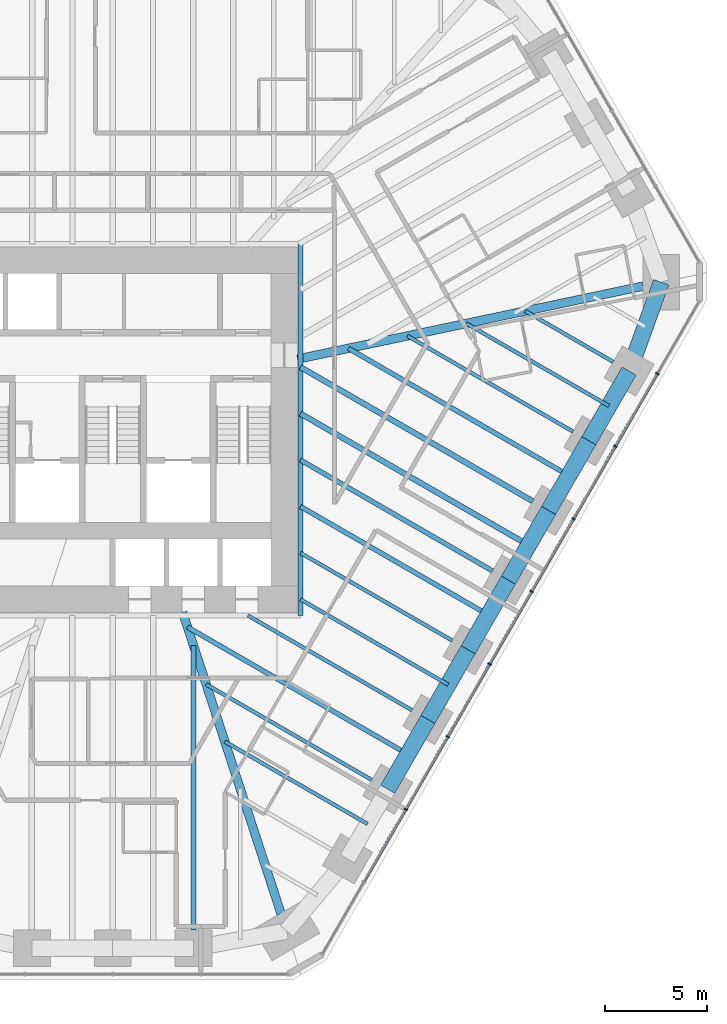
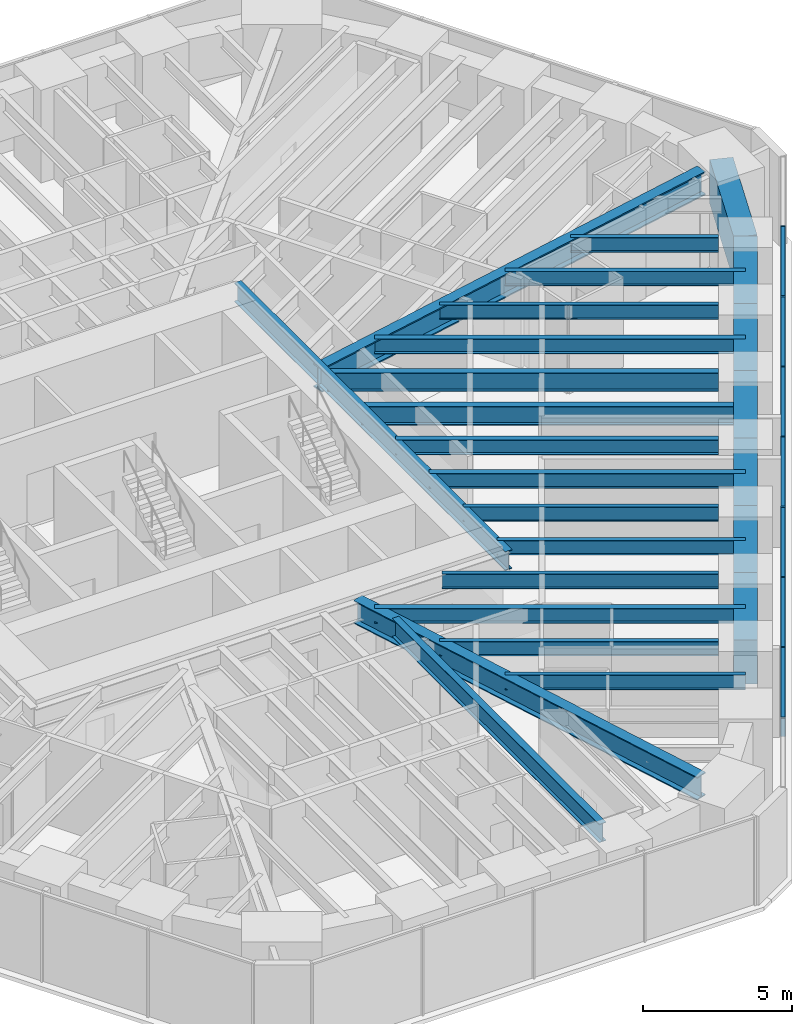
# One storey, part 5 of 17: 25 beams, 14 members, 1 element without a shape of its own.
"""IFC4 building model written with IfcOpenShell, lengths in metres."""

from ifc_helpers import new_model, si_unit, direction, frame, origin, origin_2d, place, context, subcontext, project, spatial, rectangle, i_section, extrude, material, material_profile, profile_set, type_object, element, aggregate, save


model = new_model("IFC4")

# Units and contexts
model_context = context("Model", 3, precision=1e-05, world=origin(), true_north=direction((0.0, 1.0)))
body_context = subcontext(model_context, "Body", "Model", "MODEL_VIEW")
ifc_project = project(units=[si_unit("LENGTHUNIT", "METRE"), si_unit("AREAUNIT", "SQUARE_METRE"), si_unit("VOLUMEUNIT", "CUBIC_METRE"), si_unit("PLANEANGLEUNIT", "RADIAN"), si_unit("MASSUNIT", "GRAM", prefix="KILO")], contexts=[model_context])

# Site, building, storey
site_placement = place(None, origin())
site = spatial("IfcSite", under=ifc_project, at=site_placement, CompositionType="ELEMENT")
building_placement = place(site_placement, origin())
building = spatial("IfcBuilding", under=site, at=building_placement, Name="Sandreach Pilgrim Tower", CompositionType="ELEMENT")
storey_placement = place(building_placement, frame((0.0, 0.0, 142.39990234375)))
storey = spatial("IfcBuildingStorey", under=building, at=storey_placement, Name="L35", CompositionType="ELEMENT", Elevation=142.39990234375)

# Curtain wall, members
ifc_material_1 = material(Name="Aluminium framed curtain wall", Category="aluminium")
curtain_wall_type = type_object("IfcCurtainWallType", Name="Hotel tower curtain wall", PredefinedType="NOTDEFINED", material=ifc_material_1)
curtain_wall_placement = place(storey_placement, origin())
curtain_wall = element("IfcCurtainWall", 1, at=curtain_wall_placement, inside=storey, type_object=curtain_wall_type, Name="CW-2 L35 SE", PredefinedType="NOTDEFINED")
ifc_material_2 = material(Name="Aluminium extrusion", Category="aluminium")
ifc_material_profile_1 = material_profile(ifc_material_2, rectangle(XDim=0.06494140625, YDim=0.179931640625, at=origin_2d()), Name="CW-2M 65X180")
ifc_profile_set_1 = profile_set([ifc_material_profile_1], Name="Aluminium extrusion")
member_type_1 = type_object("IfcMemberType", Name="CW-2 mullion", PredefinedType="MULLION", material=ifc_profile_set_1)
member_1_placement = place(storey_placement, frame((26.66748046875, 1.20166015625, 0.0), z_axis=(0.0, 0.0, 1.0), x_axis=(-0.5, -0.866025403784, 0.0)))
member_1 = element("IfcMember", 2, at=member_1_placement, type_object=member_type_1, Name="CW-2 mullion 2", PredefinedType="MULLION", context=body_context, shape_type="SweptSolid", body=[
    extrude(rectangle(XDim=0.06494140625, YDim=0.179931640625, at=origin_2d()), origin(), (0.0, 0.0, 1.0), 3.64013671875),
])
member_2_placement = place(storey_placement, frame((24.614013671875, -2.35498046875, 0.0), z_axis=(0.0, 0.0, 1.0), x_axis=(-0.5, -0.866025403784, 0.0)))
member_2 = element("IfcMember", 3, at=member_2_placement, type_object=member_type_1, Name="CW-2 mullion 3", PredefinedType="MULLION", context=body_context, shape_type="SweptSolid", body=[
    extrude(rectangle(XDim=0.06494140625, YDim=0.179931640625, at=origin_2d()), origin(), (0.0, 0.0, 1.0), 3.64013671875),
])
member_3_placement = place(storey_placement, frame((22.560302734375, -5.911865234375, 0.0), z_axis=(0.0, 0.0, 1.0), x_axis=(-0.5, -0.866025403784, 0.0)))
member_3 = element("IfcMember", 4, at=member_3_placement, type_object=member_type_1, Name="CW-2 mullion 4", PredefinedType="MULLION", context=body_context, shape_type="SweptSolid", body=[
    extrude(rectangle(XDim=0.06494140625, YDim=0.179931640625, at=origin_2d()), origin(), (0.0, 0.0, 1.0), 3.64013671875),
])
member_4_placement = place(storey_placement, frame((20.5068359375, -9.468505859375, 0.0), z_axis=(0.0, 0.0, 1.0), x_axis=(-0.5, -0.866025403784, 0.0)))
member_4 = element("IfcMember", 5, at=member_4_placement, type_object=member_type_1, Name="CW-2 mullion 5", PredefinedType="MULLION", context=body_context, shape_type="SweptSolid", body=[
    extrude(rectangle(XDim=0.06494140625, YDim=0.179931640625, at=origin_2d()), origin(), (0.0, 0.0, 1.0), 3.64013671875),
])
member_5_placement = place(storey_placement, frame((18.453369140625, -13.025146484375, 0.0), z_axis=(0.0, 0.0, 1.0), x_axis=(-0.5, -0.866025403784, 0.0)))
member_5 = element("IfcMember", 6, at=member_5_placement, type_object=member_type_1, Name="CW-2 mullion 6", PredefinedType="MULLION", context=body_context, shape_type="SweptSolid", body=[
    extrude(rectangle(XDim=0.06494140625, YDim=0.179931640625, at=origin_2d()), origin(), (0.0, 0.0, 1.0), 3.64013671875),
])
member_6_placement = place(storey_placement, frame((16.39990234375, -16.58203125, 0.0), z_axis=(0.0, 0.0, 1.0), x_axis=(-0.5, -0.866025403784, 0.0)))
member_6 = element("IfcMember", 7, at=member_6_placement, type_object=member_type_1, Name="CW-2 mullion 7", PredefinedType="MULLION", context=body_context, shape_type="SweptSolid", body=[
    extrude(rectangle(XDim=0.06494140625, YDim=0.179931640625, at=origin_2d()), origin(), (0.0, 0.0, 1.0), 3.64013671875),
])
member_7_placement = place(storey_placement, frame((14.346435546875, -20.138671875, 0.0), z_axis=(0.0, 0.0, 1.0), x_axis=(-0.5, -0.866025403784, 0.0)))
member_7 = element("IfcMember", 8, at=member_7_placement, type_object=member_type_1, Name="CW-2 mullion 8", PredefinedType="MULLION", context=body_context, shape_type="SweptSolid", body=[
    extrude(rectangle(XDim=0.06494140625, YDim=0.179931640625, at=origin_2d()), origin(), (0.0, 0.0, 1.0), 3.64013671875),
])
ifc_material_3 = material(Name="Aluminium extrusion", Category="aluminium")
ifc_material_profile_2 = material_profile(ifc_material_3, rectangle(XDim=0.139892578125, YDim=0.070068359375, at=origin_2d()), Name="CW-2T 140X70")
ifc_profile_set_2 = profile_set([ifc_material_profile_2], Name="Aluminium extrusion")
member_type_2 = type_object("IfcMemberType", Name="CW-2 transom", PredefinedType="USERDEFINED", material=ifc_profile_set_2)
member_8_placement = place(storey_placement, frame((26.651123046875, 1.173583984375, 3.60498046875), z_axis=(-0.499997818338, -0.866026663364, 0.0), x_axis=(0.866026663364, -0.499997818338, 0.0)))
member_8 = element("IfcMember", 9, at=member_8_placement, type_object=member_type_2, Name="CW-2 head transom 2", ObjectType="TRANSOM", PredefinedType="USERDEFINED", context=body_context, shape_type="SweptSolid", body=[
    extrude(rectangle(XDim=0.139892578125, YDim=0.070068359375, at=origin_2d()), origin(), (0.0, 0.0, 1.0), 4.0419921875),
])
member_9_placement = place(storey_placement, frame((24.59765625, -2.38330078125, 3.60498046875), z_axis=(-0.500023973715, -0.866011562111, 0.0), x_axis=(0.866011562111, -0.500023973715, 0.0)))
member_9 = element("IfcMember", 10, at=member_9_placement, type_object=member_type_2, Name="CW-2 head transom 3", ObjectType="TRANSOM", PredefinedType="USERDEFINED", context=body_context, shape_type="SweptSolid", body=[
    extrude(rectangle(XDim=0.139892578125, YDim=0.070068359375, at=origin_2d()), origin(), (0.0, 0.0, 1.0), 4.041748046875),
])
member_10_placement = place(storey_placement, frame((22.544189453125, -5.93994140625, 3.60498046875), z_axis=(-0.499997818338, -0.866026663364, 0.0), x_axis=(0.866026663364, -0.499997818338, 0.0)))
member_10 = element("IfcMember", 11, at=member_10_placement, type_object=member_type_2, Name="CW-2 head transom 4", ObjectType="TRANSOM", PredefinedType="USERDEFINED", context=body_context, shape_type="SweptSolid", body=[
    extrude(rectangle(XDim=0.139892578125, YDim=0.070068359375, at=origin_2d()), origin(), (0.0, 0.0, 1.0), 4.0419921875),
])
member_11_placement = place(storey_placement, frame((20.49072265625, -9.49658203125, 3.60498046875), z_axis=(-0.499997818338, -0.866026663364, 0.0), x_axis=(0.866026663364, -0.499997818338, 0.0)))
member_11 = element("IfcMember", 12, at=member_11_placement, type_object=member_type_2, Name="CW-2 head transom 5", ObjectType="TRANSOM", PredefinedType="USERDEFINED", context=body_context, shape_type="SweptSolid", body=[
    extrude(rectangle(XDim=0.139892578125, YDim=0.070068359375, at=origin_2d()), origin(), (0.0, 0.0, 1.0), 4.0419921875),
])
member_12_placement = place(storey_placement, frame((18.437255859375, -13.053466796875, 3.60498046875), z_axis=(-0.499997818338, -0.866026663364, 0.0), x_axis=(0.866026663364, -0.499997818338, 0.0)))
member_12 = element("IfcMember", 13, at=member_12_placement, type_object=member_type_2, Name="CW-2 head transom 6", ObjectType="TRANSOM", PredefinedType="USERDEFINED", context=body_context, shape_type="SweptSolid", body=[
    extrude(rectangle(XDim=0.139892578125, YDim=0.070068359375, at=origin_2d()), origin(), (0.0, 0.0, 1.0), 4.0419921875),
])
member_13_placement = place(storey_placement, frame((16.3837890625, -16.610107421875, 3.60498046875), z_axis=(-0.499997818338, -0.866026663364, 0.0), x_axis=(0.866026663364, -0.499997818338, 0.0)))
member_13 = element("IfcMember", 14, at=member_13_placement, type_object=member_type_2, Name="CW-2 head transom 7", ObjectType="TRANSOM", PredefinedType="USERDEFINED", context=body_context, shape_type="SweptSolid", body=[
    extrude(rectangle(XDim=0.139892578125, YDim=0.070068359375, at=origin_2d()), origin(), (0.0, 0.0, 1.0), 4.0419921875),
])
member_14_placement = place(storey_placement, frame((14.330322265625, -20.1669921875, 3.60498046875), z_axis=(-0.500023973715, -0.866011562111, 0.0), x_axis=(0.866011562111, -0.500023973715, 0.0)))
member_14 = element("IfcMember", 15, at=member_14_placement, type_object=member_type_2, Name="CW-2 head transom 8", ObjectType="TRANSOM", PredefinedType="USERDEFINED", context=body_context, shape_type="SweptSolid", body=[
    extrude(rectangle(XDim=0.139892578125, YDim=0.070068359375, at=origin_2d()), origin(), (0.0, 0.0, 1.0), 4.041748046875),
])
aggregate(curtain_wall, [member_1, member_2, member_3, member_4, member_5, member_6, member_7, member_8, member_9, member_10, member_11, member_12, member_13, member_14])

# Beams
ifc_material_4 = material(Name="Steel ASTM A992 Grade 50", Category="steel")
ifc_material_profile_3 = material_profile(ifc_material_4, i_section(OverallWidth=0.2666015625, OverallDepth=0.77978515625, WebThickness=0.0166015625, FlangeThickness=0.030029296875, at=origin_2d()), Name="W30X148")
ifc_profile_set_3 = profile_set([ifc_material_profile_3], Name="Steel ASTM A992 Grade 50")
beam_type_1 = type_object("IfcBeamType", Name="Core edge beam W30X148", PredefinedType="BEAM", material=ifc_profile_set_3)
beam_1_placement = place(storey_placement, frame((9.193359375, 7.54345703125, 3.250244140625), z_axis=(0.0, -1.0, 0.0), x_axis=(1.0, 0.0, 0.0)))
element("IfcBeam", 16, at=beam_1_placement, inside=storey, type_object=beam_type_1, Name="BM L35 CEE", PredefinedType="BEAM", context=body_context, shape_type="SweptSolid", body=[
    extrude(i_section(OverallWidth=0.2666015625, OverallDepth=0.77978515625, WebThickness=0.0166015625, FlangeThickness=0.030029296875, at=origin_2d()), origin(), (0.0, 0.0, 1.0), 18.186767578125),
])
ifc_material_5 = material(Name="Steel ASTM A992 Grade 50", Category="steel")
ifc_material_profile_4 = material_profile(ifc_material_5, i_section(OverallWidth=0.421630859375, OverallDepth=0.937255859375, WebThickness=0.0224609375, FlangeThickness=0.039794921875, at=origin_2d()), Name="W36X282")
ifc_profile_set_4 = profile_set([ifc_material_profile_4], Name="Steel ASTM A992 Grade 50")
beam_type_2 = type_object("IfcBeamType", Name="Corner girder W36X282", PredefinedType="BEAM", material=ifc_profile_set_4)
beam_2_placement = place(storey_placement, frame((8.238525390625, -25.23876953125, 3.17138671875), z_axis=(-0.310307109519, 0.950636364643, 0.0), x_axis=(-0.950636364643, -0.310307109519, 0.0)))
element("IfcBeam", 17, at=beam_2_placement, inside=storey, type_object=beam_type_2, Name="BM L35 CG22", PredefinedType="BEAM", context=body_context, shape_type="SweptSolid", body=[
    extrude(i_section(OverallWidth=0.421630859375, OverallDepth=0.937255859375, WebThickness=0.0224609375, FlangeThickness=0.039794921875, at=origin_2d()), origin(), (0.0, 0.0, 1.0), 15.504150390625),
])
ifc_material_6 = material(Name="Steel ASTM A992 Grade 50", Category="steel")
ifc_material_profile_5 = material_profile(ifc_material_6, i_section(OverallWidth=0.424072265625, OverallDepth=0.965087890625, WebThickness=0.028564453125, FlangeThickness=0.051025390625, at=origin_2d()), Name="W36X361")
ifc_profile_set_5 = profile_set([ifc_material_profile_5], Name="Steel ASTM A992 Grade 50")
beam_type_3 = type_object("IfcBeamType", Name="Corner girder W36X361", PredefinedType="BEAM", material=ifc_profile_set_5)
beam_3_placement = place(storey_placement, frame((25.976806640625, 5.484619140625, 3.157470703125), z_axis=(-0.978427882284, -0.206588671447, 0.0), x_axis=(0.206588671447, -0.978427882284, 0.0)))
element("IfcBeam", 18, at=beam_3_placement, inside=storey, type_object=beam_type_3, Name="BM L35 CG13", PredefinedType="BEAM", context=body_context, shape_type="SweptSolid", body=[
    extrude(i_section(OverallWidth=0.424072265625, OverallDepth=0.965087890625, WebThickness=0.028564453125, FlangeThickness=0.051025390625, at=origin_2d()), origin(), (0.0, 0.0, 1.0), 17.300048828125),
])
ifc_material_7 = material(Name="Steel ASTM A992 Grade 50", Category="steel")
ifc_material_profile_6 = material_profile(ifc_material_7, i_section(OverallWidth=0.1787109375, OverallDepth=0.60205078125, WebThickness=0.010986328125, FlangeThickness=0.014892578125, at=origin_2d()), Name="W24X62")
ifc_profile_set_6 = profile_set([ifc_material_profile_6], Name="Steel ASTM A992 Grade 50")
beam_type_4 = type_object("IfcBeamType", Name="Floor beam W24X62", PredefinedType="BEAM", material=ifc_profile_set_6)
beam_4_placement = place(storey_placement, frame((24.50439453125, 1.775390625, 3.339111328125), z_axis=(-0.866024645457, 0.500001313459, 0.0), x_axis=(-0.500001313459, -0.866024645457, 0.0)))
element("IfcBeam", 19, at=beam_4_placement, inside=storey, type_object=beam_type_4, Name="BM L35 F14", PredefinedType="BEAM", context=body_context, shape_type="SweptSolid", body=[
    extrude(i_section(OverallWidth=0.1787109375, OverallDepth=0.60205078125, WebThickness=0.010986328125, FlangeThickness=0.014892578125, at=origin_2d()), origin(), (0.0, 0.0, 1.0), 4.9765625),
])
beam_5_placement = place(storey_placement, frame((22.534423828125, -1.63671875, 3.339111328125), z_axis=(-0.866012351917, 0.500022605817, 0.0), x_axis=(-0.500022605817, -0.866012351917, 0.0)))
element("IfcBeam", 20, at=beam_5_placement, inside=storey, type_object=beam_type_4, Name="BM L35 F15", PredefinedType="BEAM", context=body_context, shape_type="SweptSolid", body=[
    extrude(i_section(OverallWidth=0.1787109375, OverallDepth=0.60205078125, WebThickness=0.010986328125, FlangeThickness=0.014892578125, at=origin_2d()), origin(), (0.0, 0.0, 1.0), 9.3642578125),
])
beam_6_placement = place(storey_placement, frame((16.62451171875, -11.873046875, 3.339111328125), z_axis=(-0.866017857595, 0.500013070155, 0.0), x_axis=(-0.500013070155, -0.866017857595, 0.0)))
element("IfcBeam", 21, at=beam_6_placement, inside=storey, type_object=beam_type_4, Name="BM L35 F18", PredefinedType="BEAM", context=body_context, shape_type="SweptSolid", body=[
    extrude(i_section(OverallWidth=0.1787109375, OverallDepth=0.60205078125, WebThickness=0.010986328125, FlangeThickness=0.014892578125, at=origin_2d()), origin(), (0.0, 0.0, 1.0), 8.580810546875),
])
beam_7_placement = place(storey_placement, frame((14.654541015625, -15.28515625, 3.339111328125), z_axis=(-0.866015659929, 0.500016876472, 0.0), x_axis=(-0.500016876472, -0.866015659929, 0.0)))
element("IfcBeam", 22, at=beam_7_placement, inside=storey, type_object=beam_type_4, Name="BM L35 F19", PredefinedType="BEAM", context=body_context, shape_type="SweptSolid", body=[
    extrude(i_section(OverallWidth=0.1787109375, OverallDepth=0.60205078125, WebThickness=0.010986328125, FlangeThickness=0.014892578125, at=origin_2d()), origin(), (0.0, 0.0, 1.0), 9.283447265625),
])
beam_8_placement = place(storey_placement, frame((12.6845703125, -18.697265625, 3.339111328125), z_axis=(-0.866012351917, 0.500022605817, 0.0), x_axis=(-0.500022605817, -0.866012351917, 0.0)))
element("IfcBeam", 23, at=beam_8_placement, inside=storey, type_object=beam_type_4, Name="BM L35 F20", PredefinedType="BEAM", context=body_context, shape_type="SweptSolid", body=[
    extrude(i_section(OverallWidth=0.1787109375, OverallDepth=0.60205078125, WebThickness=0.010986328125, FlangeThickness=0.014892578125, at=origin_2d()), origin(), (0.0, 0.0, 1.0), 9.3642578125),
])
beam_9_placement = place(storey_placement, frame((24.298828125, -0.380615234375, 3.339111328125), z_axis=(-0.866022864518, 0.500004398112, 0.0), x_axis=(-0.500004398112, -0.866022864518, 0.0)))
element("IfcBeam", 24, at=beam_9_placement, inside=storey, type_object=beam_type_4, Name="BM L35 FM14", PredefinedType="BEAM", context=body_context, shape_type="SweptSolid", body=[
    extrude(i_section(OverallWidth=0.1787109375, OverallDepth=0.60205078125, WebThickness=0.010986328125, FlangeThickness=0.014892578125, at=origin_2d()), origin(), (0.0, 0.0, 1.0), 8.0703125),
])
beam_10_placement = place(storey_placement, frame((16.4189453125, -14.029052734375, 3.339111328125), z_axis=(-0.866016009309, 0.500016271356, 0.0), x_axis=(-0.500016271356, -0.866016009309, 0.0)))
element("IfcBeam", 25, at=beam_10_placement, inside=storey, type_object=beam_type_4, Name="BM L35 FM18", PredefinedType="BEAM", context=body_context, shape_type="SweptSolid", body=[
    extrude(i_section(OverallWidth=0.1787109375, OverallDepth=0.60205078125, WebThickness=0.010986328125, FlangeThickness=0.014892578125, at=origin_2d()), origin(), (0.0, 0.0, 1.0), 8.343505859375),
])
beam_11_placement = place(storey_placement, frame((12.47900390625, -20.853271484375, 3.339111328125), z_axis=(-0.866017328257, 0.500013986963, 0.0), x_axis=(-0.500013986963, -0.866017328257, 0.0)))
element("IfcBeam", 26, at=beam_11_placement, inside=storey, type_object=beam_type_4, Name="BM L35 FM20", PredefinedType="BEAM", context=body_context, shape_type="SweptSolid", body=[
    extrude(i_section(OverallWidth=0.1787109375, OverallDepth=0.60205078125, WebThickness=0.010986328125, FlangeThickness=0.014892578125, at=origin_2d()), origin(), (0.0, 0.0, 1.0), 8.070556640625),
])
ifc_material_8 = material(Name="Steel ASTM A992 Grade 50", Category="steel")
ifc_material_profile_7 = material_profile(ifc_material_8, i_section(OverallWidth=0.23046875, OverallDepth=0.6171875, WebThickness=0.01318359375, FlangeThickness=0.022216796875, at=origin_2d()), Name="W24X94")
ifc_profile_set_7 = profile_set([ifc_material_profile_7], Name="Steel ASTM A992 Grade 50")
beam_type_5 = type_object("IfcBeamType", Name="Floor beam W24X94", PredefinedType="BEAM", material=ifc_profile_set_7)
beam_12_placement = place(storey_placement, frame((18.594482421875, -8.4609375, 3.33154296875), z_axis=(-0.866015926388, 0.500016414973, 0.0), x_axis=(-0.500016414973, -0.866015926388, 0.0)))
element("IfcBeam", 27, at=beam_12_placement, inside=storey, type_object=beam_type_5, Name="BM L35 F17", PredefinedType="BEAM", context=body_context, shape_type="SweptSolid", body=[
    extrude(i_section(OverallWidth=0.23046875, OverallDepth=0.6171875, WebThickness=0.01318359375, FlangeThickness=0.022216796875, at=origin_2d()), origin(), (0.0, 0.0, 1.0), 10.855712890625),
])
beam_13_placement = place(storey_placement, frame((22.328857421875, -3.792724609375, 3.33154296875), z_axis=(-0.866019150617, 0.500010830648, 0.0), x_axis=(-0.500010830648, -0.866019150617, 0.0)))
element("IfcBeam", 28, at=beam_13_placement, inside=storey, type_object=beam_type_5, Name="BM L35 FM15", PredefinedType="BEAM", context=body_context, shape_type="SweptSolid", body=[
    extrude(i_section(OverallWidth=0.23046875, OverallDepth=0.6171875, WebThickness=0.01318359375, FlangeThickness=0.022216796875, at=origin_2d()), origin(), (0.0, 0.0, 1.0), 12.458251953125),
])
beam_14_placement = place(storey_placement, frame((18.388916015625, -10.616943359375, 3.33154296875), z_axis=(-0.866024387147, 0.500001760863, 0.0), x_axis=(-0.500001760863, -0.866024387147, 0.0)))
element("IfcBeam", 29, at=beam_14_placement, inside=storey, type_object=beam_type_5, Name="BM L35 FM17", PredefinedType="BEAM", context=body_context, shape_type="SweptSolid", body=[
    extrude(i_section(OverallWidth=0.23046875, OverallDepth=0.6171875, WebThickness=0.01318359375, FlangeThickness=0.022216796875, at=origin_2d()), origin(), (0.0, 0.0, 1.0), 10.6181640625),
])
beam_15_placement = place(storey_placement, frame((14.448974609375, -17.441162109375, 3.33154296875), z_axis=(-0.866019150617, 0.500010830648, 0.0), x_axis=(-0.500010830648, -0.866019150617, 0.0)))
element("IfcBeam", 30, at=beam_15_placement, inside=storey, type_object=beam_type_5, Name="BM L35 FM19", PredefinedType="BEAM", context=body_context, shape_type="SweptSolid", body=[
    extrude(i_section(OverallWidth=0.23046875, OverallDepth=0.6171875, WebThickness=0.01318359375, FlangeThickness=0.022216796875, at=origin_2d()), origin(), (0.0, 0.0, 1.0), 12.458251953125),
])
ifc_material_9 = material(Name="Steel ASTM A992 Grade 50", Category="steel")
ifc_material_profile_8 = material_profile(ifc_material_9, i_section(OverallWidth=0.2666015625, OverallDepth=0.761962890625, WebThickness=0.014404296875, FlangeThickness=0.021484375, at=origin_2d()), Name="W30X116")
ifc_profile_set_8 = profile_set([ifc_material_profile_8], Name="Steel ASTM A992 Grade 50")
beam_type_6 = type_object("IfcBeamType", Name="Floor beam W30X116", PredefinedType="BEAM", material=ifc_profile_set_8)
beam_16_placement = place(storey_placement, frame((20.564453125, -5.048828125, 3.259033203125), z_axis=(-0.866022715736, 0.500004655807, 0.0), x_axis=(-0.500004655807, -0.866022715736, 0.0)))
element("IfcBeam", 31, at=beam_16_placement, inside=storey, type_object=beam_type_6, Name="BM L35 F16", PredefinedType="BEAM", context=body_context, shape_type="SweptSolid", body=[
    extrude(i_section(OverallWidth=0.2666015625, OverallDepth=0.761962890625, WebThickness=0.014404296875, FlangeThickness=0.021484375, at=origin_2d()), origin(), (0.0, 0.0, 1.0), 13.130126953125),
])
beam_17_placement = place(storey_placement, frame((3.955322265625, -26.0322265625, 3.259033203125), z_axis=(0.0, 1.0, 0.0), x_axis=(-1.0, 0.0, 0.0)))
element("IfcBeam", 32, at=beam_17_placement, inside=storey, type_object=beam_type_6, Name="BM L35 F23", PredefinedType="BEAM", context=body_context, shape_type="SweptSolid", body=[
    extrude(i_section(OverallWidth=0.2666015625, OverallDepth=0.761962890625, WebThickness=0.014404296875, FlangeThickness=0.021484375, at=origin_2d()), origin(), (0.0, 0.0, 1.0), 13.91552734375),
])
beam_18_placement = place(storey_placement, frame((20.35888671875, -7.204833984375, 3.259033203125), z_axis=(-0.866021609098, 0.500006572533, 0.0), x_axis=(-0.500006572533, -0.866021609098, 0.0)))
element("IfcBeam", 33, at=beam_18_placement, inside=storey, type_object=beam_type_6, Name="BM L35 FM16", PredefinedType="BEAM", context=body_context, shape_type="SweptSolid", body=[
    extrude(i_section(OverallWidth=0.2666015625, OverallDepth=0.761962890625, WebThickness=0.014404296875, FlangeThickness=0.021484375, at=origin_2d()), origin(), (0.0, 0.0, 1.0), 12.892822265625),
])
ifc_material_10 = material(Name="Concrete 10000 psi", Category="concrete")
ifc_material_profile_9 = material_profile(ifc_material_10, rectangle(XDim=0.800048828125, YDim=1.800048828125, at=origin_2d()), Name="RC800X1800")
ifc_profile_set_9 = profile_set([ifc_material_profile_9], Name="Concrete 10000 psi")
beam_type_7 = type_object("IfcBeamType", Name="Spandrel beam RC800X1800", PredefinedType="SPANDREL", material=ifc_profile_set_9)
beam_19_placement = place(storey_placement, frame((26.857177734375, 5.67041015625, 2.739990234375), z_axis=(-0.340453163563, -0.940261476091, 0.0), x_axis=(0.940261476091, -0.340453163563, 0.0)))
element("IfcBeam", 34, at=beam_19_placement, inside=storey, type_object=beam_type_7, Name="BM L35 SP13", PredefinedType="SPANDREL", context=body_context, shape_type="SweptSolid", body=[
    extrude(rectangle(XDim=0.800048828125, YDim=1.800048828125, at=origin_2d()), origin(), (0.0, 0.0, 1.0), 4.62109375),
])
for number, where, z_axis, x_axis, name in (
    (35, (25.283935546875, 1.325439453125, 2.739990234375), (-0.49999779889, -0.866026674592, 0.0), (0.866026674592, -0.49999779889, 0.0), "BM L35 SP14"),
    (36, (23.31396484375, -2.086669921875, 2.739990234375), (-0.49999779889, -0.866026674592, 0.0), (0.866026674592, -0.49999779889, 0.0), "BM L35 SP15"),
    (37, (21.343994140625, -5.498779296875, 2.739990234375), (-0.49999779889, -0.866026674592, 0.0), (0.866026674592, -0.49999779889, 0.0), "BM L35 SP16"),
    (38, (19.3740234375, -8.910888671875, 2.739990234375), (-0.49999779889, -0.866026674592, 0.0), (0.866026674592, -0.49999779889, 0.0), "BM L35 SP17"),
    (39, (17.404052734375, -12.322998046875, 2.739990234375), (-0.49999779889, -0.866026674592, 0.0), (0.866026674592, -0.49999779889, 0.0), "BM L35 SP18"),
    (40, (15.43408203125, -15.735107421875, 2.739990234375), (-0.49999779889, -0.866026674592, 0.0), (0.866026674592, -0.49999779889, 0.0), "BM L35 SP19"),
):
    element("IfcBeam", number, at=place(storey_placement, frame(where, z_axis=z_axis, x_axis=x_axis)), inside=storey, type_object=beam_type_7, Name=name, PredefinedType="SPANDREL", context=body_context, shape_type="SweptSolid", body=[
        extrude(rectangle(XDim=0.800048828125, YDim=1.800048828125, at=origin_2d()), origin(), (0.0, 0.0, 1.0), 3.93994140625),
    ])

save(model, "model.ifc")
